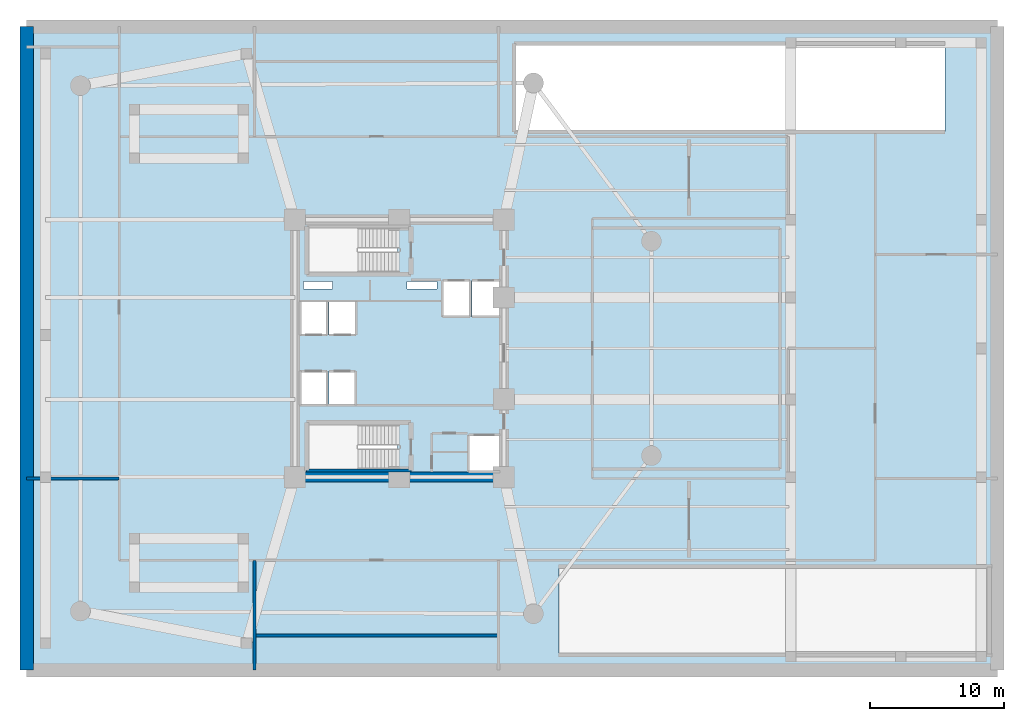
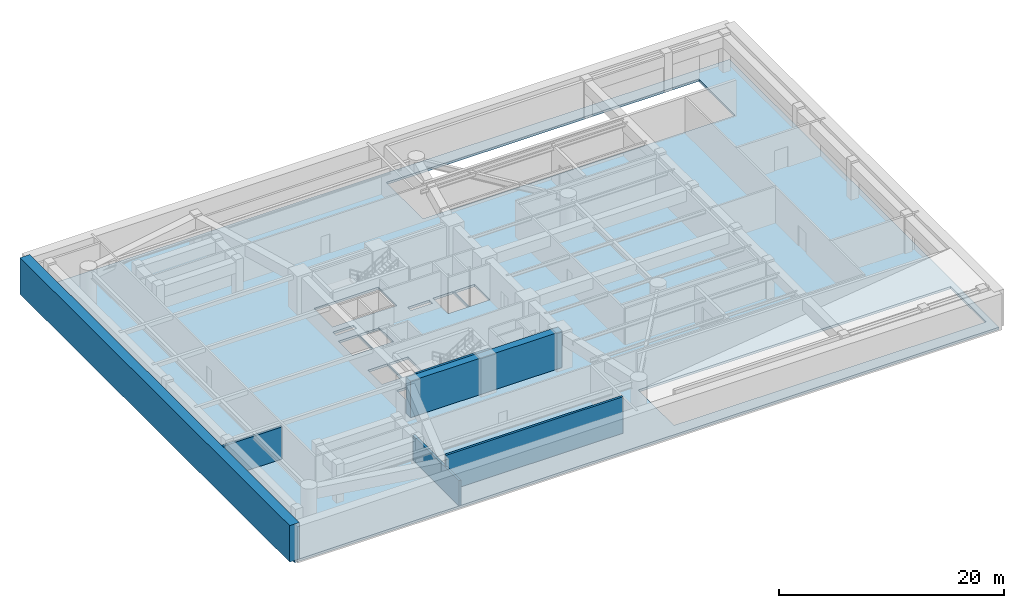
# One storey, part 2 of 7: 6 walls, 1 slab.
"""IFC4 building model written with IfcOpenShell, lengths in metres."""

from ifc_helpers import new_model, si_unit, direction, frame, frame_2d, origin, place, context, subcontext, project, spatial, polyline, rectangle, outline, extrude, material, layer, layer_set, type_object, element, save


model = new_model("IFC4")

# Units and contexts
model_context = context("Model", 3, precision=1e-05, world=origin(), true_north=direction((0.0, 1.0)))
body_context = subcontext(model_context, "Body", "Model", "MODEL_VIEW")
ifc_project = project(units=[si_unit("LENGTHUNIT", "METRE"), si_unit("AREAUNIT", "SQUARE_METRE"), si_unit("VOLUMEUNIT", "CUBIC_METRE"), si_unit("PLANEANGLEUNIT", "RADIAN"), si_unit("MASSUNIT", "GRAM", prefix="KILO")], contexts=[model_context])

# Site, building, storey
site_placement = place(None, origin())
site = spatial("IfcSite", under=ifc_project, at=site_placement, CompositionType="ELEMENT")
building_placement = place(site_placement, origin())
building = spatial("IfcBuilding", under=site, at=building_placement, Name="An Khanh Terracotta Commons", CompositionType="ELEMENT")
storey_placement = place(building_placement, frame((0.0, 0.0, -4.199951171875)))
storey = spatial("IfcBuildingStorey", under=building, at=storey_placement, Name="B01", CompositionType="ELEMENT", Elevation=-4.199951171875)

# Slab
ifc_material_1 = material(Name="Concrete C40/50", Category="concrete")
ifc_layer_1 = layer(ifc_material_1, 0.25, Name="Concrete C40/50")
ifc_layer_set_1 = layer_set([ifc_layer_1], Name="Concrete C40/50")
slab_type = type_object("IfcSlabType", Name="SLAB-B01-250", PredefinedType="FLOOR", material=ifc_layer_set_1)
slab_placement = place(storey_placement, frame((0.0, 0.0, -0.25)))
element("IfcSlab", 1, at=slab_placement, inside=storey, type_object=slab_type, Name="B01 Structural Floor Slab", PredefinedType="FLOOR", context=body_context, shape_type="SweptSolid", body=[
    extrude(outline(polyline([(1.60009765625, 0.0), (74.0, 0.0), (74.0, 48.0), (1.60009765625, 48.0), (1.60009765625, 0.0)]), holes=[polyline([(22.64990234375, 29.699951171875), (29.27001953125, 29.699951171875), (29.27001953125, 33.0), (22.64990234375, 33.0), (22.64990234375, 29.699951171875)]), polyline([(22.64990234375, 15.0), (29.27001953125, 15.0), (29.27001953125, 18.300048828125), (22.64990234375, 18.300048828125), (22.64990234375, 15.0)]), polyline([(32.60009765625, 26.35009765625), (34.679931640625, 26.35009765625), (34.679931640625, 29.080078125), (32.60009765625, 29.080078125), (32.60009765625, 26.35009765625)]), polyline([(34.820068359375, 26.35009765625), (36.89990234375, 26.35009765625), (36.89990234375, 29.080078125), (34.820068359375, 29.080078125), (34.820068359375, 26.35009765625)]), polyline([(34.550048828125, 14.800048828125), (36.89990234375, 14.800048828125), (36.89990234375, 17.550048828125), (34.550048828125, 17.550048828125), (34.550048828125, 14.800048828125)]), polyline([(22.0, 25.0), (24.02001953125, 25.0), (24.02001953125, 27.5), (22.0, 27.5), (22.0, 25.0)]), polyline([(24.159912109375, 25.0), (26.179931640625, 25.0), (26.179931640625, 27.5), (24.159912109375, 27.5), (24.159912109375, 25.0)]), polyline([(22.0, 19.800048828125), (24.0, 19.800048828125), (24.0, 22.300048828125), (22.0, 22.300048828125), (22.0, 19.800048828125)]), polyline([(24.139892578125, 19.800048828125), (26.139892578125, 19.800048828125), (26.139892578125, 22.300048828125), (24.139892578125, 22.300048828125), (24.139892578125, 19.800048828125)]), polyline([(22.25, 28.419921875), (24.39990234375, 28.419921875), (24.39990234375, 28.97998046875), (22.25, 28.97998046875), (22.25, 28.419921875)]), polyline([(29.949951171875, 28.419921875), (32.199951171875, 28.419921875), (32.199951171875, 28.97998046875), (29.949951171875, 28.97998046875), (29.949951171875, 28.419921875)]), polyline([(38.0, 40.199951171875), (70.10009765625, 40.199951171875), (70.10009765625, 46.699951171875), (38.0, 46.699951171875), (38.0, 40.199951171875)]), polyline([(41.320068359375, 1.280029296875), (73.419921875, 1.280029296875), (73.419921875, 7.6201171875), (41.320068359375, 7.6201171875), (41.320068359375, 1.280029296875)])]), origin(), (0.0, 0.0, 1.0), 0.25),
])

# Walls
ifc_material_2 = material(Name="Concrete C70/85", Category="concrete")
ifc_layer_2 = layer(ifc_material_2, 0.75, Name="Concrete C70/85")
ifc_layer_set_2 = layer_set([ifc_layer_2], Name="Concrete C70/85")
wall_type_1 = type_object("IfcWallType", Name="WALL-CORE-750", PredefinedType="SHEAR", material=ifc_layer_set_2)
wall_1_placement = place(storey_placement, frame((37.199951171875, 14.39990234375, 0.0), z_axis=(0.0, 0.0, 1.0), x_axis=(-1.0, 0.0, 0.0)))
element("IfcWall", 2, at=wall_1_placement, inside=storey, type_object=wall_type_1, Name="B01 Core Wall CWALL-B01-S", PredefinedType="SHEAR", context=body_context, shape_type="SweptSolid", body=[
    extrude(rectangle(XDim=15.599853515625, YDim=0.75, at=frame_2d((7.7998046875, 0.0))), origin(), (0.0, 0.0, 1.0), 3.9599609375),
])
ifc_material_3 = material(Name="Concrete C50/60", Category="concrete")
ifc_layer_3 = layer(ifc_material_3, 1.0, Name="Concrete C50/60")
ifc_layer_set_3 = layer_set([ifc_layer_3], Name="Concrete C50/60")
wall_type_2 = type_object("IfcWallType", Name="WALL-DIAPH-1000", PredefinedType="SOLIDWALL", material=ifc_layer_set_3)
wall_2_placement = place(storey_placement, frame((1.60009765625, 48.0, 0.0), z_axis=(0.0, 0.0, 1.0), x_axis=(0.0, -1.0, 0.0)))
element("IfcWall", 3, at=wall_2_placement, inside=storey, type_object=wall_type_2, Name="B01 Perimeter Diaphragm Wall 4", PredefinedType="SOLIDWALL", context=body_context, shape_type="SweptSolid", body=[
    extrude(rectangle(XDim=48.0, YDim=1.0, at=frame_2d((24.0, 0.0))), origin(), (0.0, 0.0, 1.0), 3.9599609375),
])
ifc_material_4 = material(Name="Acoustic Double-Stud Gypsum and Mineral Wool")
ifc_layer_4 = layer(ifc_material_4, 0.219970703125, Name="Acoustic Double-Stud Gypsum and Mineral Wool")
ifc_layer_set_4 = layer_set([ifc_layer_4], Name="Acoustic Double-Stud Gypsum and Mineral Wool")
wall_type_3 = type_object("IfcWallType", Name="WALL-PARTY-220", PredefinedType="PARTITIONING", material=ifc_layer_set_4)
wall_3_placement = place(storey_placement, frame((22.47998046875, 14.889892578125, 0.0), z_axis=(0.0, 0.0, 1.0), x_axis=(1.0, 0.0, 0.0)))
element("IfcWall", 4, at=wall_3_placement, inside=storey, type_object=wall_type_3, Name="B01 Core Wall STW-B01-S-S", PredefinedType="PARTITIONING", context=body_context, shape_type="SweptSolid", body=[
    extrude(rectangle(XDim=7.7900390625, YDim=0.219970703125, at=frame_2d((3.89501953125, 0.0))), origin(), (0.0, 0.0, 1.0), 3.9599609375),
])
wall_4_placement = place(storey_placement, frame((18.60009765625, 2.60009765625, 0.0), z_axis=(0.0, 0.0, 1.0), x_axis=(1.0, 0.0, 0.0)))
element("IfcWall", 5, at=wall_4_placement, inside=storey, type_object=wall_type_3, Name="B01 Interior Partition IW-B01-E001", PredefinedType="PARTITIONING", context=body_context, shape_type="SweptSolid", body=[
    extrude(rectangle(XDim=18.199951171875, YDim=0.219970703125, at=frame_2d((9.10009765625, 0.0))), origin(), (0.0, 0.0, 1.0), 3.9599609375),
])
wall_5_placement = place(storey_placement, frame((1.60009765625, 14.300048828125, 0.0), z_axis=(0.0, 0.0, 1.0), x_axis=(1.0, 0.0, 0.0)))
element("IfcWall", 6, at=wall_5_placement, inside=storey, type_object=wall_type_3, Name="B01 Interior Partition IW-B01-E003", PredefinedType="PARTITIONING", context=body_context, shape_type="SweptSolid", body=[
    extrude(rectangle(XDim=6.89990234375, YDim=0.219970703125, at=frame_2d((3.449951171875, 0.0))), origin(), (0.0, 0.0, 1.0), 3.491943359375),
])
wall_6_placement = place(storey_placement, frame((18.60009765625, 0.0, 0.0), z_axis=(0.0, 0.0, 1.0), x_axis=(0.0, 1.0, 0.0)))
element("IfcWall", 7, at=wall_6_placement, inside=storey, type_object=wall_type_3, Name="B01 Interior Partition IW-B01-E015", PredefinedType="PARTITIONING", context=body_context, shape_type="SweptSolid", body=[
    extrude(rectangle(XDim=8.199951171875, YDim=0.219970703125, at=frame_2d((4.10009765625, 0.0))), origin(), (0.0, 0.0, 1.0), 2.741943359375),
])

save(model, "model.ifc")
